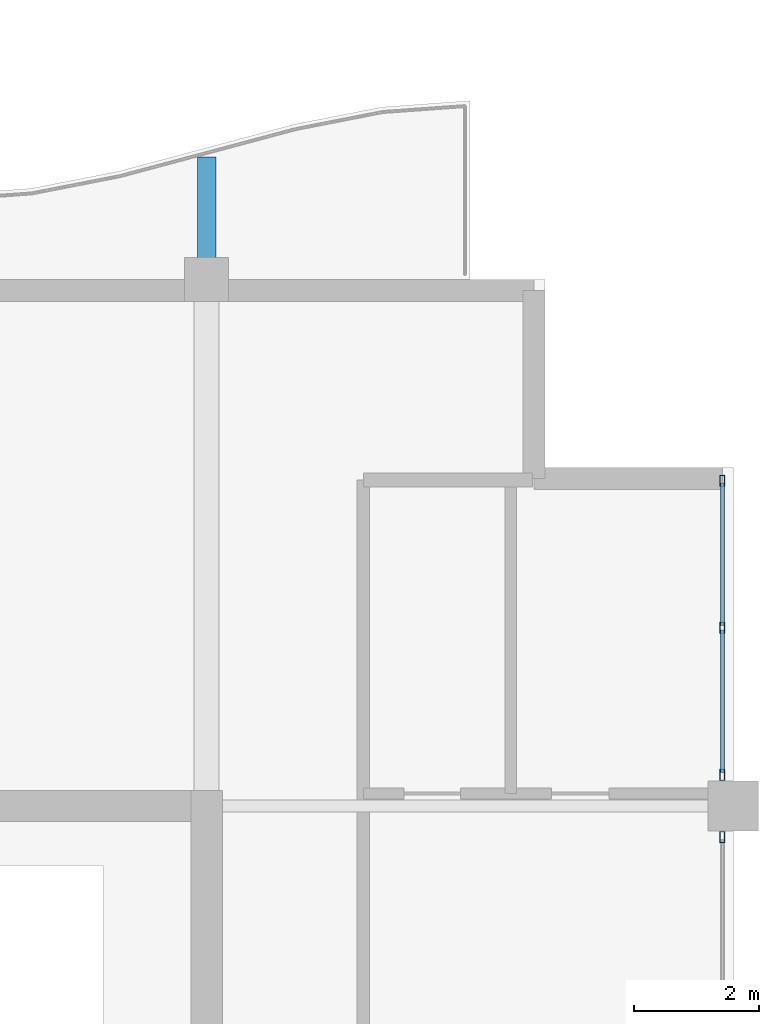
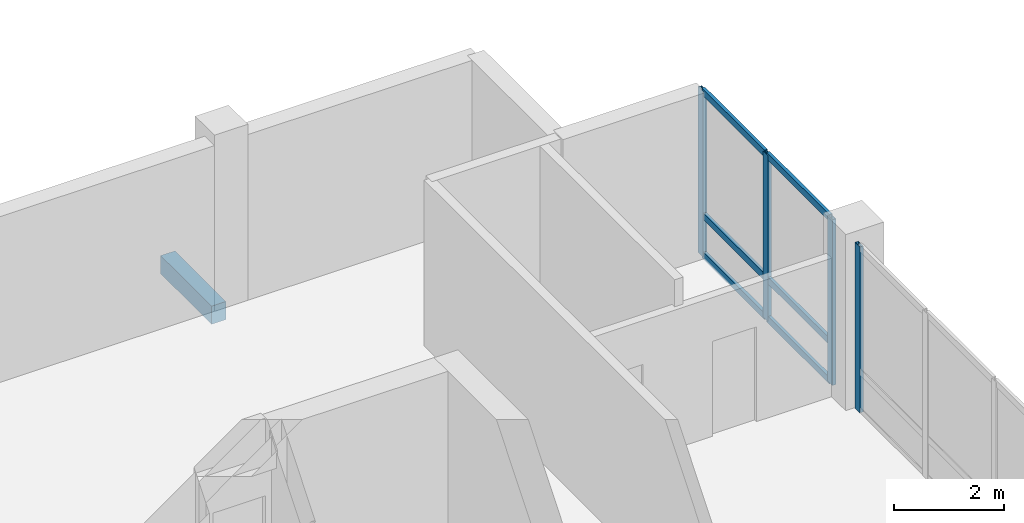
# One storey, part 4 of 14: 10 members, 1 beam, 2 elements without a shape of their own.
"""IFC4 building model written with IfcOpenShell, lengths in metres."""

from ifc_helpers import new_model, si_unit, direction, frame, origin, origin_2d, place, context, subcontext, project, spatial, rectangle, hollow_rectangle, extrude, material, layer, layer_set, material_profile, profile_set, type_object, element, aggregate, save


model = new_model("IFC4")

# Units and contexts
model_context = context("Model", 3, precision=1e-05, world=origin(), true_north=direction((0.0, 1.0)))
body_context = subcontext(model_context, "Body", "Model", "MODEL_VIEW")
ifc_project = project(units=[si_unit("LENGTHUNIT", "METRE"), si_unit("AREAUNIT", "SQUARE_METRE"), si_unit("VOLUMEUNIT", "CUBIC_METRE"), si_unit("PLANEANGLEUNIT", "RADIAN"), si_unit("MASSUNIT", "GRAM", prefix="KILO")], contexts=[model_context])

# Site, building, storey
site_placement = place(None, origin())
site = spatial("IfcSite", under=ifc_project, at=site_placement, CompositionType="ELEMENT")
building_placement = place(site_placement, origin())
building = spatial("IfcBuilding", under=site, at=building_placement, Name="Koriwani Terraces Tower", CompositionType="ELEMENT")
storey_placement = place(building_placement, frame((0.0, 0.0, 339.800048828125)))
storey = spatial("IfcBuildingStorey", under=building, at=storey_placement, Name="L84", CompositionType="ELEMENT", Elevation=339.800048828125)

# Beam
ifc_material_1 = material(Name="Concrete C40/50", Category="concrete")
ifc_material_profile_1 = material_profile(ifc_material_1, rectangle(XDim=0.300048828125, YDim=0.39990234375, at=origin_2d()), Name="Concrete C40/50", Category="LoadBearing")
ifc_profile_set_1 = profile_set([ifc_material_profile_1], Name="Concrete C40/50")
beam_type = type_object("IfcBeamType", Name="BEAM_RC_BALCONY_RIB_300X400", PredefinedType="JOIST", material=ifc_profile_set_1)
beam_placement = place(storey_placement, frame((58.800048828125, 33.699951171875, -0.429931640625), z_axis=(0.0, 1.0, 0.0), x_axis=(-1.0, 0.0, 0.0)))
element("IfcBeam", 1, at=beam_placement, inside=storey, type_object=beam_type, Name="L84 Balcony Bracket Rib NE-3", PredefinedType="JOIST", context=body_context, shape_type="SweptSolid", body=[
    extrude(rectangle(XDim=0.300048828125, YDim=0.39990234375, at=origin_2d()), origin(), (0.0, 0.0, 1.0), 1.85009765625),
])

# Curtain wall, members
ifc_material_2 = material(Name="Anodised Bronze Aluminium", Category="aluminium")
ifc_layer = layer(ifc_material_2, 0.18994140625, Name="Anodised Bronze Aluminium")
ifc_layer_set = layer_set([ifc_layer], Name="Anodised Bronze Aluminium")
curtain_wall_type = type_object("IfcCurtainWallType", Name="CW_PENTHOUSE_ZONE5", PredefinedType="NOTDEFINED", material=ifc_layer_set)
curtain_wall_1_placement = place(storey_placement, origin())
curtain_wall_1 = element("IfcCurtainWall", 2, at=curtain_wall_1_placement, inside=storey, type_object=curtain_wall_type, Name="L84 Unitised Curtain Wall (E_TIP) Bay 1", PredefinedType="NOTDEFINED")
ifc_material_profile_2 = material_profile(ifc_material_2, hollow_rectangle(XDim=0.074951171875, YDim=0.179931640625, WallThickness=0.006103515625, at=origin_2d()), Name="Anodised Bronze Aluminium", Category="LoadBearing")
ifc_profile_set_2 = profile_set([ifc_material_profile_2], Name="Anodised Bronze Aluminium")
member_type_1 = type_object("IfcMemberType", Name="CW_MULLION_180X75", PredefinedType="MULLION", material=ifc_profile_set_2)
member_1_placement = place(storey_placement, frame((67.02490234375, 30.387451171875, 0.0), z_axis=(0.0, 0.0, 1.0), x_axis=(1.0, 0.0, 0.0)))
member_1 = element("IfcMember", 3, at=member_1_placement, type_object=member_type_1, Name="CW-Z5 mullion 1", PredefinedType="MULLION", context=body_context, shape_type="SweptSolid", body=[
    extrude(hollow_rectangle(XDim=0.074951171875, YDim=0.179931640625, WallThickness=0.006103515625, at=origin_2d()), origin(), (0.0, 0.0, 1.0), 3.669921875),
])
member_2_placement = place(storey_placement, frame((67.02490234375, 28.04248046875, 0.0), z_axis=(0.0, 0.0, 1.0), x_axis=(1.0, 0.0, 0.0)))
member_2 = element("IfcMember", 4, at=member_2_placement, type_object=member_type_1, Name="CW-Z5 mullion 2", PredefinedType="MULLION", context=body_context, shape_type="SweptSolid", body=[
    extrude(hollow_rectangle(XDim=0.074951171875, YDim=0.179931640625, WallThickness=0.006103515625, at=origin_2d()), origin(), (0.0, 0.0, 1.0), 3.669921875),
])
member_3_placement = place(storey_placement, frame((67.02490234375, 25.697509765625, 0.0), z_axis=(0.0, 0.0, 1.0), x_axis=(1.0, 0.0, 0.0)))
member_3 = element("IfcMember", 5, at=member_3_placement, type_object=member_type_1, Name="CW-Z5 mullion 3", PredefinedType="MULLION", context=body_context, shape_type="SweptSolid", body=[
    extrude(hollow_rectangle(XDim=0.074951171875, YDim=0.179931640625, WallThickness=0.006103515625, at=origin_2d()), origin(), (0.0, 0.0, 1.0), 3.669921875),
])

# Curtain wall, member
curtain_wall_2_placement = place(storey_placement, origin())
curtain_wall_2 = element("IfcCurtainWall", 6, at=curtain_wall_2_placement, inside=storey, type_object=curtain_wall_type, Name="L84 Unitised Curtain Wall (E_TIP) Bay 2", PredefinedType="NOTDEFINED")
member_4_placement = place(storey_placement, frame((67.02490234375, 24.702392578125, 0.0), z_axis=(0.0, 0.0, 1.0), x_axis=(1.0, 0.0, 0.0)))
member_4 = element("IfcMember", 7, at=member_4_placement, type_object=member_type_1, Name="CW-Z5 mullion 1", PredefinedType="MULLION", context=body_context, shape_type="SweptSolid", body=[
    extrude(hollow_rectangle(XDim=0.074951171875, YDim=0.179931640625, WallThickness=0.006103515625, at=origin_2d()), origin(), (0.0, 0.0, 1.0), 3.669921875),
])
aggregate(curtain_wall_2, [member_4])

# Member
ifc_material_profile_3 = material_profile(ifc_material_2, hollow_rectangle(XDim=0.06494140625, YDim=0.14990234375, WallThickness=0.0048828125, at=origin_2d()), Name="Anodised Bronze Aluminium", Category="LoadBearing")
ifc_profile_set_3 = profile_set([ifc_material_profile_3], Name="Anodised Bronze Aluminium")
member_type_2 = type_object("IfcMemberType", Name="CW_TRANSOM_150X65", PredefinedType="USERDEFINED", material=ifc_profile_set_3)
member_5_placement = place(storey_placement, frame((67.02490234375, 30.35009765625, 0.032470703125), z_axis=(0.0, -1.0, 0.0), x_axis=(1.0, 0.0, 0.0)))
member_5 = element("IfcMember", 8, at=member_5_placement, type_object=member_type_2, Name="CW-Z5 transom 1.1", ObjectType="TRANSOM", PredefinedType="USERDEFINED", context=body_context, shape_type="SweptSolid", body=[
    extrude(hollow_rectangle(XDim=0.06494140625, YDim=0.14990234375, WallThickness=0.0048828125, at=origin_2d()), origin(), (0.0, 0.0, 1.0), 2.27001953125),
])

member_6_placement = place(storey_placement, frame((67.02490234375, 30.35009765625, 0.89990234375), z_axis=(0.0, -1.0, 0.0), x_axis=(1.0, 0.0, 0.0)))
member_6 = element("IfcMember", 9, at=member_6_placement, type_object=member_type_2, Name="CW-Z5 transom 1.2", ObjectType="TRANSOM", PredefinedType="USERDEFINED", context=body_context, shape_type="SweptSolid", body=[
    extrude(hollow_rectangle(XDim=0.06494140625, YDim=0.14990234375, WallThickness=0.0048828125, at=origin_2d()), origin(), (0.0, 0.0, 1.0), 2.27001953125),
])

member_7_placement = place(storey_placement, frame((67.02490234375, 30.35009765625, 3.637451171875), z_axis=(0.0, -1.0, 0.0), x_axis=(1.0, 0.0, 0.0)))
member_7 = element("IfcMember", 10, at=member_7_placement, type_object=member_type_2, Name="CW-Z5 transom 1.3", ObjectType="TRANSOM", PredefinedType="USERDEFINED", context=body_context, shape_type="SweptSolid", body=[
    extrude(hollow_rectangle(XDim=0.06494140625, YDim=0.14990234375, WallThickness=0.0048828125, at=origin_2d()), origin(), (0.0, 0.0, 1.0), 2.27001953125),
])

member_8_placement = place(storey_placement, frame((67.02490234375, 28.0048828125, 0.032470703125), z_axis=(0.0, -1.0, 0.0), x_axis=(1.0, 0.0, 0.0)))
member_8 = element("IfcMember", 11, at=member_8_placement, type_object=member_type_2, Name="CW-Z5 transom 2.1", ObjectType="TRANSOM", PredefinedType="USERDEFINED", context=body_context, shape_type="SweptSolid", body=[
    extrude(hollow_rectangle(XDim=0.06494140625, YDim=0.14990234375, WallThickness=0.0048828125, at=origin_2d()), origin(), (0.0, 0.0, 1.0), 2.269775390625),
])

member_9_placement = place(storey_placement, frame((67.02490234375, 28.0048828125, 0.89990234375), z_axis=(0.0, -1.0, 0.0), x_axis=(1.0, 0.0, 0.0)))
member_9 = element("IfcMember", 12, at=member_9_placement, type_object=member_type_2, Name="CW-Z5 transom 2.2", ObjectType="TRANSOM", PredefinedType="USERDEFINED", context=body_context, shape_type="SweptSolid", body=[
    extrude(hollow_rectangle(XDim=0.06494140625, YDim=0.14990234375, WallThickness=0.0048828125, at=origin_2d()), origin(), (0.0, 0.0, 1.0), 2.269775390625),
])

member_10_placement = place(storey_placement, frame((67.02490234375, 28.0048828125, 3.637451171875), z_axis=(0.0, -1.0, 0.0), x_axis=(1.0, 0.0, 0.0)))
member_10 = element("IfcMember", 13, at=member_10_placement, type_object=member_type_2, Name="CW-Z5 transom 2.3", ObjectType="TRANSOM", PredefinedType="USERDEFINED", context=body_context, shape_type="SweptSolid", body=[
    extrude(hollow_rectangle(XDim=0.06494140625, YDim=0.14990234375, WallThickness=0.0048828125, at=origin_2d()), origin(), (0.0, 0.0, 1.0), 2.269775390625),
])

aggregate(curtain_wall_1, [member_1, member_2, member_3, member_5, member_6, member_7, member_8, member_9, member_10])

save(model, "model.ifc")
